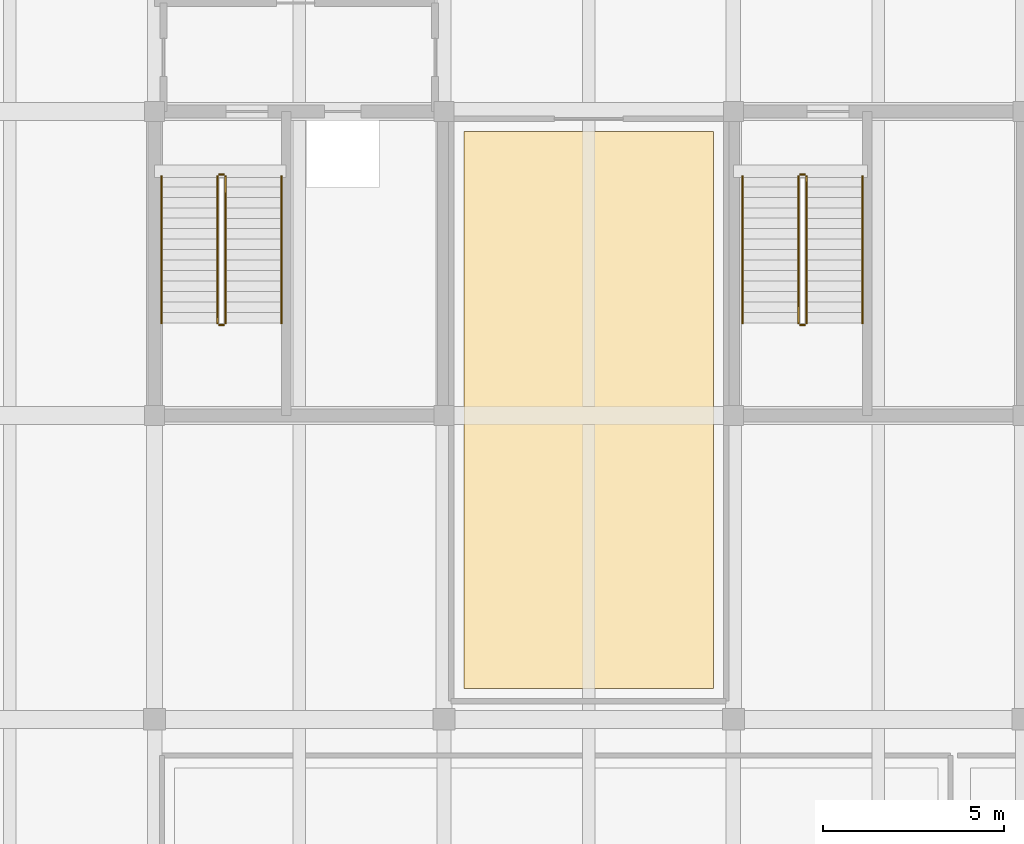
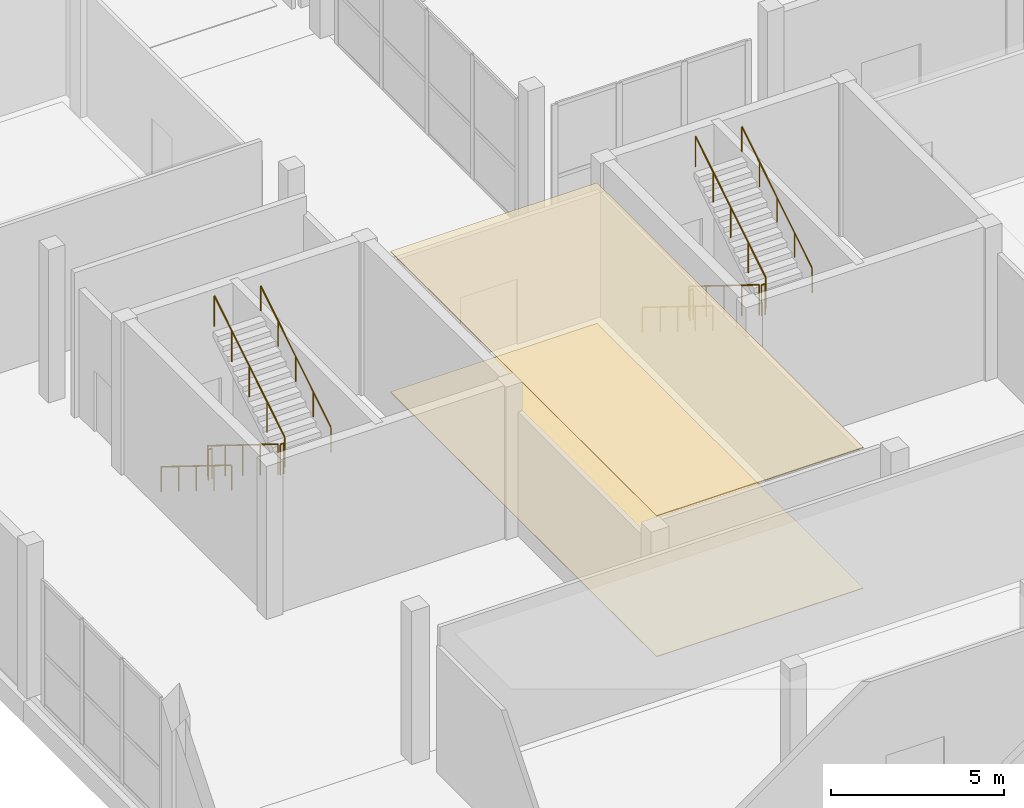
# One storey, part 36 of 41: 12 railings, 2 coverings.
"""IFC4 building model written with IfcOpenShell, lengths in metres."""

from ifc_helpers import new_model, si_unit, direction, frame, origin, origin_2d, place, context, subcontext, project, spatial, polyline, circle, outline, extrude, material, layer, layer_set, type_object, element, save


model = new_model("IFC4")

# Units and contexts
model_context = context("Model", 3, precision=1e-05, world=origin(), true_north=direction((0.0, 1.0)))
body_context = subcontext(model_context, "Body", "Model", "MODEL_VIEW")
ifc_project = project(units=[si_unit("LENGTHUNIT", "METRE"), si_unit("AREAUNIT", "SQUARE_METRE"), si_unit("VOLUMEUNIT", "CUBIC_METRE"), si_unit("PLANEANGLEUNIT", "RADIAN"), si_unit("MASSUNIT", "GRAM", prefix="KILO")], contexts=[model_context])

# Site, building, storey
site_placement = place(None, origin())
site = spatial("IfcSite", under=ifc_project, at=site_placement, CompositionType="ELEMENT")
building_placement = place(site_placement, origin())
building = spatial("IfcBuilding", under=site, at=building_placement, Name="Vharandega Faculty of Natural Sciences", CompositionType="ELEMENT")
storey_placement = place(building_placement, origin())
storey = spatial("IfcBuildingStorey", under=building, at=storey_placement, Name="L00", CompositionType="ELEMENT", Elevation=0.0)

# Covering
ifc_material_1 = material(Name="Perforated acoustic timber ceiling panels", Category="wood")
ifc_layer_1 = layer(ifc_material_1, 0.030029296875, Name="Perforated acoustic timber ceiling panels")
ifc_layer_set_1 = layer_set([ifc_layer_1], Name="Perforated acoustic timber ceiling panels")
covering_type_1 = type_object("IfcCoveringType", Name="Perforated Acoustic Timber Ceiling 30mm", PredefinedType="CEILING", material=ifc_layer_set_1)
covering_1_placement = place(storey_placement, frame((0.0, 0.0, 4.9599609375)))
element("IfcCovering", 1, at=covering_1_placement, inside=storey, type_object=covering_type_1, Name="L00-ATR1W Acoustic Ceiling", PredefinedType="CEILING", context=body_context, shape_type="SweptSolid", body=[
    extrude(outline(polyline([(16.550048828125, 64.85009765625), (23.449951171875, 64.85009765625), (23.449951171875, 80.25), (16.550048828125, 80.25), (16.550048828125, 64.85009765625)])), origin(), (0.0, 0.0, 1.0), 0.030029296875),
])

# Railings
ifc_material_2 = material(Name="Brushed stainless steel handrail", Category="steel")
railing_type_1 = type_object("IfcRailingType", Name="Stair Tubular Handrail 900", PredefinedType="HANDRAIL", material=ifc_material_2)
railing_1_placement = place(storey_placement, frame((8.18994140625, 79.010009765625, 0.179931640625)))
element("IfcRailing", 2, at=railing_1_placement, inside=storey, type_object=railing_type_1, Name="L00 ST4 stair handrail 1", PredefinedType="HANDRAIL", context=body_context, shape_type="SweptSolid", body=[
    extrude(circle(Radius=0.02392578125, at=origin_2d()), frame((0.0, 0.0, 0.8759765625), z_axis=(0.0, -0.849641744969, 0.527360318194), x_axis=(1.0, 0.0, 0.0)), (0.0, 0.0, 1.0), 4.778564453125),
    extrude(circle(Radius=0.02099609375, at=origin_2d()), origin(), (0.0, 0.0, 1.0), 0.851806640625),
    extrude(circle(Radius=0.02099609375, at=origin_2d()), frame((0.0, -1.01513671875, 0.6298828125)), (0.0, 0.0, 1.0), 0.851806640625),
    extrude(circle(Radius=0.02099609375, at=origin_2d()), frame((0.0, -2.030029296875, 1.260009765625)), (0.0, 0.0, 1.0), 0.851806640625),
    extrude(circle(Radius=0.02099609375, at=origin_2d()), frame((0.0, -3.044921875, 1.89013671875)), (0.0, 0.0, 1.0), 0.851806640625),
    extrude(circle(Radius=0.02099609375, at=origin_2d()), frame((0.0, -4.06005859375, 2.52001953125)), (0.0, 0.0, 1.0), 0.851806640625),
])
railing_2_placement = place(storey_placement, frame((11.510009765625, 74.949951171875, 2.8798828125)))
element("IfcRailing", 3, at=railing_2_placement, inside=storey, type_object=railing_type_1, Name="L00 ST4 stair handrail 2", PredefinedType="HANDRAIL", context=body_context, shape_type="SweptSolid", body=[
    extrude(circle(Radius=0.02392578125, at=origin_2d()), frame((0.0, 0.0, 0.8759765625), z_axis=(0.0, 0.849641744969, 0.527360318194), x_axis=(-1.0, 0.0, 0.0)), (0.0, 0.0, 1.0), 4.778564453125),
    extrude(circle(Radius=0.02099609375, at=origin_2d()), origin(), (0.0, 0.0, 1.0), 0.851806640625),
    extrude(circle(Radius=0.02099609375, at=origin_2d()), frame((0.0, 1.01513671875, 0.6298828125)), (0.0, 0.0, 1.0), 0.851806640625),
    extrude(circle(Radius=0.02099609375, at=origin_2d()), frame((0.0, 2.030029296875, 1.260009765625)), (0.0, 0.0, 1.0), 0.851806640625),
    extrude(circle(Radius=0.02099609375, at=origin_2d()), frame((0.0, 3.044921875, 1.89013671875)), (0.0, 0.0, 1.0), 0.851806640625),
    extrude(circle(Radius=0.02099609375, at=origin_2d()), frame((0.0, 4.06005859375, 2.52001953125)), (0.0, 0.0, 1.0), 0.851806640625),
])
railing_3_placement = place(storey_placement, frame((24.25, 79.010009765625, 0.179931640625)))
element("IfcRailing", 4, at=railing_3_placement, inside=storey, type_object=railing_type_1, Name="L00 ST6 stair handrail 1", PredefinedType="HANDRAIL", context=body_context, shape_type="SweptSolid", body=[
    extrude(circle(Radius=0.02392578125, at=origin_2d()), frame((0.0, 0.0, 0.8759765625), z_axis=(0.0, -0.849641744969, 0.527360318194), x_axis=(1.0, 0.0, 0.0)), (0.0, 0.0, 1.0), 4.778564453125),
    extrude(circle(Radius=0.02099609375, at=origin_2d()), origin(), (0.0, 0.0, 1.0), 0.851806640625),
    extrude(circle(Radius=0.02099609375, at=origin_2d()), frame((0.0, -1.01513671875, 0.6298828125)), (0.0, 0.0, 1.0), 0.851806640625),
    extrude(circle(Radius=0.02099609375, at=origin_2d()), frame((0.0, -2.030029296875, 1.260009765625)), (0.0, 0.0, 1.0), 0.851806640625),
    extrude(circle(Radius=0.02099609375, at=origin_2d()), frame((0.0, -3.044921875, 1.89013671875)), (0.0, 0.0, 1.0), 0.851806640625),
    extrude(circle(Radius=0.02099609375, at=origin_2d()), frame((0.0, -4.06005859375, 2.52001953125)), (0.0, 0.0, 1.0), 0.851806640625),
])
railing_4_placement = place(storey_placement, frame((27.570068359375, 74.949951171875, 2.8798828125)))
element("IfcRailing", 5, at=railing_4_placement, inside=storey, type_object=railing_type_1, Name="L00 ST6 stair handrail 2", PredefinedType="HANDRAIL", context=body_context, shape_type="SweptSolid", body=[
    extrude(circle(Radius=0.02392578125, at=origin_2d()), frame((0.0, 0.0, 0.8759765625), z_axis=(0.0, 0.849641744969, 0.527360318194), x_axis=(-1.0, 0.0, 0.0)), (0.0, 0.0, 1.0), 4.778564453125),
    extrude(circle(Radius=0.02099609375, at=origin_2d()), origin(), (0.0, 0.0, 1.0), 0.851806640625),
    extrude(circle(Radius=0.02099609375, at=origin_2d()), frame((0.0, 1.01513671875, 0.6298828125)), (0.0, 0.0, 1.0), 0.851806640625),
    extrude(circle(Radius=0.02099609375, at=origin_2d()), frame((0.0, 2.030029296875, 1.260009765625)), (0.0, 0.0, 1.0), 0.851806640625),
    extrude(circle(Radius=0.02099609375, at=origin_2d()), frame((0.0, 3.044921875, 1.89013671875)), (0.0, 0.0, 1.0), 0.851806640625),
    extrude(circle(Radius=0.02099609375, at=origin_2d()), frame((0.0, 4.06005859375, 2.52001953125)), (0.0, 0.0, 1.0), 0.851806640625),
])
ifc_material_3 = material(Name="Painted steel stair guardrail", Category="steel")
railing_type_2 = type_object("IfcRailingType", Name="Stairwell Steel Guardrail 1100", PredefinedType="GUARDRAIL", material=ifc_material_3)
railing_5_placement = place(storey_placement, frame((9.739990234375, 79.010009765625, 0.179931640625)))
element("IfcRailing", 6, at=railing_5_placement, inside=storey, type_object=railing_type_2, Name="L00 ST4 stair guard 1", PredefinedType="GUARDRAIL", context=body_context, shape_type="SweptSolid", body=[
    extrude(circle(Radius=0.02392578125, at=origin_2d()), frame((0.0, 0.0, 1.076171875), z_axis=(0.0, -0.849641744969, 0.527360318194), x_axis=(1.0, 0.0, 0.0)), (0.0, 0.0, 1.0), 4.778564453125),
    extrude(circle(Radius=0.02099609375, at=origin_2d()), origin(), (0.0, 0.0, 1.0), 1.052001953125),
    extrude(circle(Radius=0.02099609375, at=origin_2d()), frame((0.0, -1.01513671875, 0.6298828125)), (0.0, 0.0, 1.0), 1.052001953125),
    extrude(circle(Radius=0.02099609375, at=origin_2d()), frame((0.0, -2.030029296875, 1.260009765625)), (0.0, 0.0, 1.0), 1.052001953125),
    extrude(circle(Radius=0.02099609375, at=origin_2d()), frame((0.0, -3.044921875, 1.89013671875)), (0.0, 0.0, 1.0), 1.052001953125),
    extrude(circle(Radius=0.02099609375, at=origin_2d()), frame((0.0, -4.06005859375, 2.52001953125)), (0.0, 0.0, 1.0), 1.052001953125),
])
railing_6_placement = place(storey_placement, frame((9.7900390625, 74.89990234375, 2.699951171875)))
element("IfcRailing", 7, at=railing_6_placement, inside=storey, type_object=railing_type_2, Name="L00 ST4 stair guard 2", PredefinedType="GUARDRAIL", context=body_context, shape_type="SweptSolid", body=[
    extrude(circle(Radius=0.02392578125, at=origin_2d()), frame((0.0, 0.0, 1.076171875), z_axis=(1.0, 0.0, 0.0), x_axis=(0.0, 1.0, 0.0)), (0.0, 0.0, 1.0), 0.119873046875),
    extrude(circle(Radius=0.02099609375, at=origin_2d()), origin(), (0.0, 0.0, 1.0), 1.052001953125),
    extrude(circle(Radius=0.02099609375, at=origin_2d()), frame((0.119873046875, 0.0, 0.0)), (0.0, 0.0, 1.0), 1.052001953125),
])
railing_7_placement = place(storey_placement, frame((9.9599609375, 74.949951171875, 2.8798828125)))
element("IfcRailing", 8, at=railing_7_placement, inside=storey, type_object=railing_type_2, Name="L00 ST4 stair guard 3", PredefinedType="GUARDRAIL", context=body_context, shape_type="SweptSolid", body=[
    extrude(circle(Radius=0.02392578125, at=origin_2d()), frame((0.0, 0.0, 1.076171875), z_axis=(0.0, 0.849641744969, 0.527360318194), x_axis=(-1.0, 0.0, 0.0)), (0.0, 0.0, 1.0), 4.778564453125),
    extrude(circle(Radius=0.02099609375, at=origin_2d()), origin(), (0.0, 0.0, 1.0), 1.052001953125),
    extrude(circle(Radius=0.02099609375, at=origin_2d()), frame((0.0, 1.01513671875, 0.6298828125)), (0.0, 0.0, 1.0), 1.052001953125),
    extrude(circle(Radius=0.02099609375, at=origin_2d()), frame((0.0, 2.030029296875, 1.260009765625)), (0.0, 0.0, 1.0), 1.052001953125),
    extrude(circle(Radius=0.02099609375, at=origin_2d()), frame((0.0, 3.044921875, 1.89013671875)), (0.0, 0.0, 1.0), 1.052001953125),
    extrude(circle(Radius=0.02099609375, at=origin_2d()), frame((0.0, 4.06005859375, 2.52001953125)), (0.0, 0.0, 1.0), 1.052001953125),
])
railing_8_placement = place(storey_placement, frame((9.7900390625, 79.06005859375, 0.0)))
element("IfcRailing", 9, at=railing_8_placement, inside=storey, type_object=railing_type_2, Name="L00 ST4 stair guard 4", PredefinedType="GUARDRAIL", context=body_context, shape_type="SweptSolid", body=[
    extrude(circle(Radius=0.02392578125, at=origin_2d()), frame((0.0, 0.0, 1.076171875), z_axis=(1.0, 0.0, 0.0), x_axis=(0.0, 1.0, 0.0)), (0.0, 0.0, 1.0), 0.119873046875),
    extrude(circle(Radius=0.02099609375, at=origin_2d()), origin(), (0.0, 0.0, 1.0), 1.052001953125),
    extrude(circle(Radius=0.02099609375, at=origin_2d()), frame((0.119873046875, 0.0, 0.0)), (0.0, 0.0, 1.0), 1.052001953125),
])
railing_9_placement = place(storey_placement, frame((25.800048828125, 79.010009765625, 0.179931640625)))
element("IfcRailing", 10, at=railing_9_placement, inside=storey, type_object=railing_type_2, Name="L00 ST6 stair guard 1", PredefinedType="GUARDRAIL", context=body_context, shape_type="SweptSolid", body=[
    extrude(circle(Radius=0.02392578125, at=origin_2d()), frame((0.0, 0.0, 1.076171875), z_axis=(0.0, -0.849641744969, 0.527360318194), x_axis=(1.0, 0.0, 0.0)), (0.0, 0.0, 1.0), 4.778564453125),
    extrude(circle(Radius=0.02099609375, at=origin_2d()), origin(), (0.0, 0.0, 1.0), 1.052001953125),
    extrude(circle(Radius=0.02099609375, at=origin_2d()), frame((0.0, -1.01513671875, 0.6298828125)), (0.0, 0.0, 1.0), 1.052001953125),
    extrude(circle(Radius=0.02099609375, at=origin_2d()), frame((0.0, -2.030029296875, 1.260009765625)), (0.0, 0.0, 1.0), 1.052001953125),
    extrude(circle(Radius=0.02099609375, at=origin_2d()), frame((0.0, -3.044921875, 1.89013671875)), (0.0, 0.0, 1.0), 1.052001953125),
    extrude(circle(Radius=0.02099609375, at=origin_2d()), frame((0.0, -4.06005859375, 2.52001953125)), (0.0, 0.0, 1.0), 1.052001953125),
])
railing_10_placement = place(storey_placement, frame((25.85009765625, 74.89990234375, 2.699951171875)))
element("IfcRailing", 11, at=railing_10_placement, inside=storey, type_object=railing_type_2, Name="L00 ST6 stair guard 2", PredefinedType="GUARDRAIL", context=body_context, shape_type="SweptSolid", body=[
    extrude(circle(Radius=0.02392578125, at=origin_2d()), frame((0.0, 0.0, 1.076171875), z_axis=(1.0, 0.0, 0.0), x_axis=(0.0, 1.0, 0.0)), (0.0, 0.0, 1.0), 0.119873046875),
    extrude(circle(Radius=0.02099609375, at=origin_2d()), origin(), (0.0, 0.0, 1.0), 1.052001953125),
    extrude(circle(Radius=0.02099609375, at=origin_2d()), frame((0.119873046875, 0.0, 0.0)), (0.0, 0.0, 1.0), 1.052001953125),
])
railing_11_placement = place(storey_placement, frame((26.02001953125, 74.949951171875, 2.8798828125)))
element("IfcRailing", 12, at=railing_11_placement, inside=storey, type_object=railing_type_2, Name="L00 ST6 stair guard 3", PredefinedType="GUARDRAIL", context=body_context, shape_type="SweptSolid", body=[
    extrude(circle(Radius=0.02392578125, at=origin_2d()), frame((0.0, 0.0, 1.076171875), z_axis=(0.0, 0.849641744969, 0.527360318194), x_axis=(-1.0, 0.0, 0.0)), (0.0, 0.0, 1.0), 4.778564453125),
    extrude(circle(Radius=0.02099609375, at=origin_2d()), origin(), (0.0, 0.0, 1.0), 1.052001953125),
    extrude(circle(Radius=0.02099609375, at=origin_2d()), frame((0.0, 1.01513671875, 0.6298828125)), (0.0, 0.0, 1.0), 1.052001953125),
    extrude(circle(Radius=0.02099609375, at=origin_2d()), frame((0.0, 2.030029296875, 1.260009765625)), (0.0, 0.0, 1.0), 1.052001953125),
    extrude(circle(Radius=0.02099609375, at=origin_2d()), frame((0.0, 3.044921875, 1.89013671875)), (0.0, 0.0, 1.0), 1.052001953125),
    extrude(circle(Radius=0.02099609375, at=origin_2d()), frame((0.0, 4.06005859375, 2.52001953125)), (0.0, 0.0, 1.0), 1.052001953125),
])
railing_12_placement = place(storey_placement, frame((25.85009765625, 79.06005859375, 0.0)))
element("IfcRailing", 13, at=railing_12_placement, inside=storey, type_object=railing_type_2, Name="L00 ST6 stair guard 4", PredefinedType="GUARDRAIL", context=body_context, shape_type="SweptSolid", body=[
    extrude(circle(Radius=0.02392578125, at=origin_2d()), frame((0.0, 0.0, 1.076171875), z_axis=(1.0, 0.0, 0.0), x_axis=(0.0, 1.0, 0.0)), (0.0, 0.0, 1.0), 0.119873046875),
    extrude(circle(Radius=0.02099609375, at=origin_2d()), origin(), (0.0, 0.0, 1.0), 1.052001953125),
    extrude(circle(Radius=0.02099609375, at=origin_2d()), frame((0.119873046875, 0.0, 0.0)), (0.0, 0.0, 1.0), 1.052001953125),
])

# Covering
ifc_material_4 = material(Name="Polished Harare granite terrazzo flooring", Category="masonry")
ifc_layer_2 = layer(ifc_material_4, 0.02490234375, Name="Polished Harare granite terrazzo flooring")
ifc_layer_set_2 = layer_set([ifc_layer_2], Name="Polished Harare granite terrazzo flooring")
covering_type_2 = type_object("IfcCoveringType", Name="Terrazzo Concourse Flooring 25mm", PredefinedType="FLOORING", material=ifc_layer_set_2)
covering_2_placement = place(storey_placement, origin())
element("IfcCovering", 14, at=covering_2_placement, inside=storey, type_object=covering_type_2, Name="L00-ATR1W Finish Flooring", PredefinedType="FLOORING", context=body_context, shape_type="SweptSolid", body=[
    extrude(outline(polyline([(16.550048828125, 64.85009765625), (23.449951171875, 64.85009765625), (23.449951171875, 80.25), (16.550048828125, 80.25), (16.550048828125, 64.85009765625)])), origin(), (0.0, 0.0, 1.0), 0.02490234375),
])

save(model, "model.ifc")
